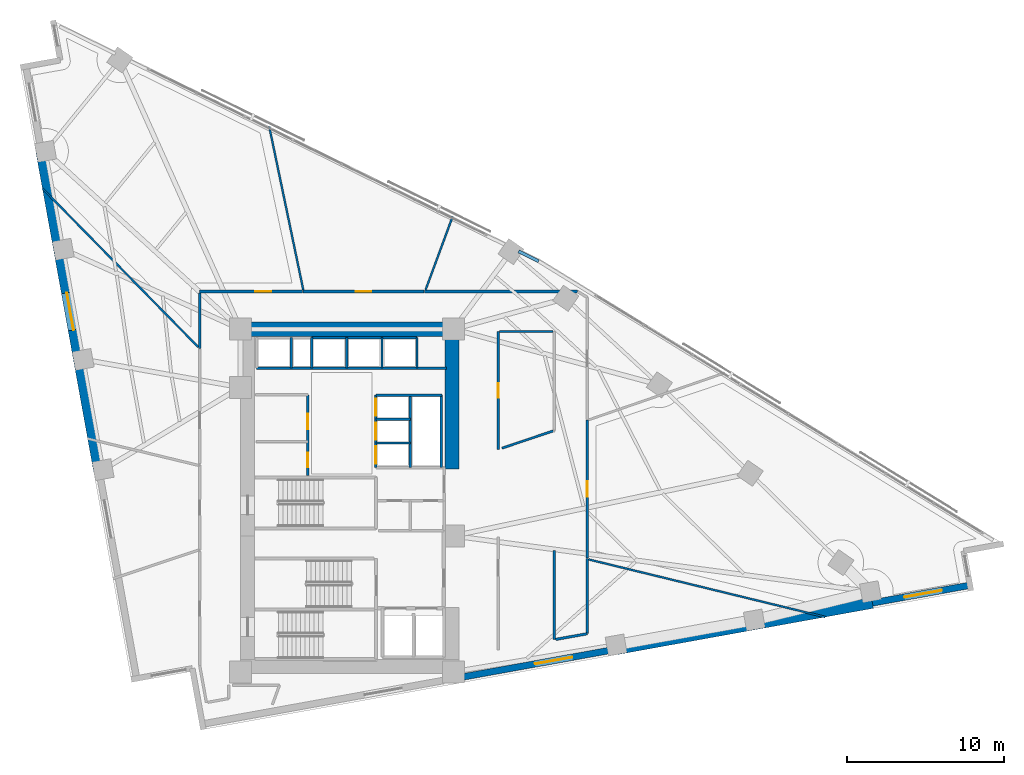
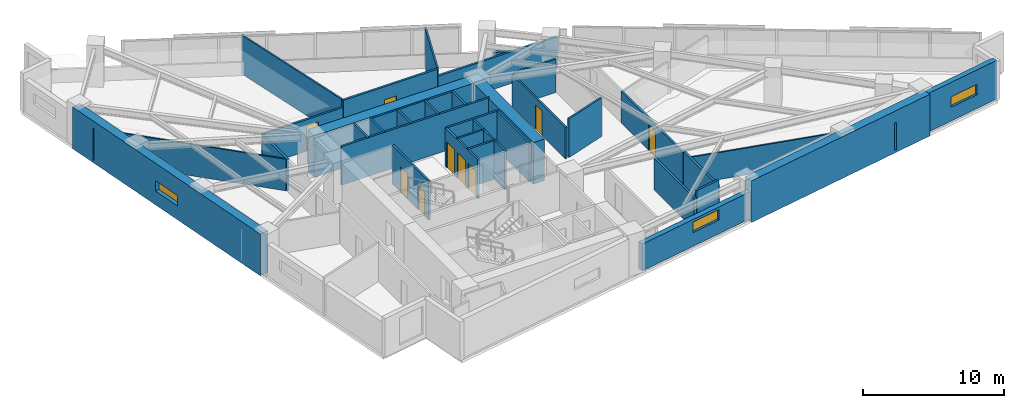
# One storey, part 14 of 18: 36 walls, 9 doors, 3 windows, 12 openings.
"""IFC4 building model written with IfcOpenShell, lengths in metres."""

import ifcopenshell
import ifcopenshell.guid

model = None  # the IFC model being written
_history = None  # IfcOwnerHistory: only IFC2X3 demands one
_inside = {}  # id of a spatial element -> (the spatial element, [elements in it])
_under = {}  # id of a project, library or spatial element -> (it, [spatial elements below it])
_declared = {}  # id of a project -> (the project, [libraries it declares])
_typed = {}  # id of a type object -> (the type object, [elements of that type])
_made_of = {}  # id of a material, layer set ... -> (it, [elements and type objects made of it])


def new_model(schema):
    """Start an empty IFC model of exactly this schema.

    Asked for "IFC4X3", IfcOpenShell would pick the latest addendum, in which some entities
    have other attributes; the version numbers below select the first issue.
    IFC2X3 requires an IfcOwnerHistory on every rooted entity: one is made here for all.
    """
    global model, _history
    if schema == "IFC4X3":
        model = ifcopenshell.file(schema_version=(4, 3, 0, 0))
    else:
        model = ifcopenshell.file(schema=schema)
    _inside.clear()
    _under.clear()
    _declared.clear()
    _typed.clear()
    _made_of.clear()
    _history = None
    if model.schema == "IFC2X3":
        org = make("IfcOrganization", Name="unknown")
        user = make(
            "IfcPersonAndOrganization",
            ThePerson=make("IfcPerson", FamilyName="unknown"),
            TheOrganization=org,
        )
        app = make(
            "IfcApplication",
            ApplicationDeveloper=org,
            Version="unknown",
            ApplicationFullName="unknown",
            ApplicationIdentifier="unknown",
        )
        _history = make(
            "IfcOwnerHistory",
            OwningUser=user,
            OwningApplication=app,
            ChangeAction="ADDED",
            CreationDate=0,
        )
    return model


def make(cls, **values):
    """One entity of the class cls with the attributes given. An attribute that is None is left unset."""
    return model.create_entity(
        cls, **{name: value for name, value in values.items() if value is not None}
    )


def rooted(cls, **values):
    """An entity with a GlobalId (a new one), such as an element, a storey or a relation."""
    return make(cls, GlobalId=ifcopenshell.guid.new(), OwnerHistory=_history, **values)


def si_unit(unit_type, name, prefix=None):
    """IfcSIUnit, for example si_unit("LENGTHUNIT", "METRE", prefix="MILLI")."""
    return make("IfcSIUnit", UnitType=unit_type, Prefix=prefix, Name=name)


def assignment(units):
    """IfcUnitAssignment: the units of a project."""
    return None if units is None else make("IfcUnitAssignment", Units=units)


def point(xyz):
    """IfcCartesianPoint."""
    return None if xyz is None else make("IfcCartesianPoint", Coordinates=xyz)


def direction(xyz):
    """IfcDirection."""
    return None if xyz is None else make("IfcDirection", DirectionRatios=xyz)


def frame(location, z_axis=None, x_axis=None):
    """IfcAxis2Placement3D, a coordinate frame: its origin and axes. An axis left out is left unset."""
    return make(
        "IfcAxis2Placement3D",
        Location=point(location),
        Axis=direction(z_axis),
        RefDirection=direction(x_axis),
    )


def frame_2d(location, x_axis=None):
    """IfcAxis2Placement2D, a coordinate frame in the plane: its origin and x axis."""
    return make(
        "IfcAxis2Placement2D", Location=point(location), RefDirection=direction(x_axis)
    )


def origin():
    """The frame at (0, 0, 0) with its axes left unset."""
    return frame((0.0, 0.0, 0.0))


def place(relative_to, where):
    """IfcLocalPlacement: puts the frame where relative to a parent placement (None: the world)."""
    return make(
        "IfcLocalPlacement", PlacementRelTo=relative_to, RelativePlacement=where
    )


def context(
    kind, dimensions, precision=None, world=None, true_north=None, identifier=None
):
    """IfcGeometricRepresentationContext, for example the 3D "Model" context."""
    return make(
        "IfcGeometricRepresentationContext",
        ContextIdentifier=identifier,
        ContextType=kind,
        CoordinateSpaceDimension=dimensions,
        Precision=precision,
        WorldCoordinateSystem=world,
        TrueNorth=true_north,
    )


def subcontext(parent, identifier, kind, view, scale=None):
    """IfcGeometricRepresentationSubContext, for example "Body" below "Model"."""
    return make(
        "IfcGeometricRepresentationSubContext",
        ContextIdentifier=identifier,
        ContextType=kind,
        ParentContext=parent,
        TargetScale=scale,
        TargetView=view,
    )


def project(units=None, contexts=None):
    """IfcProject with its units and contexts."""
    return rooted(
        "IfcProject",
        Name="project",
        RepresentationContexts=contexts,
        UnitsInContext=assignment(units),
    )


def spatial(cls, under=None, at=None, **own):
    """A site, building, storey or space (cls), placed at a placement, below another one or the project."""
    s = rooted(cls, ObjectPlacement=at, **own)
    if under is not None:
        _under.setdefault(under.id(), (under, []))[1].append(s)
    return s


def profile(cls, at=None, kind="AREA", **sizes):
    """A parametric profile (cls). Its sizes go by their IFC names, for example OverallWidth=200.0."""
    return make(cls, ProfileType=kind, Position=at, **sizes)


def rectangle(**sizes):
    """IfcRectangleProfileDef."""
    return profile("IfcRectangleProfileDef", **sizes)


def extrude(swept, where, along, depth):
    """IfcExtrudedAreaSolid: the profile swept, set in the frame where, extruded along a direction by depth."""
    return make(
        "IfcExtrudedAreaSolid",
        SweptArea=swept,
        Position=where,
        ExtrudedDirection=direction(along),
        Depth=depth,
    )


def shape(context_of_items, identifier, shape_type, items):
    """IfcShapeRepresentation: the items that make up one representation, for example the "Body"."""
    return make(
        "IfcShapeRepresentation",
        ContextOfItems=context_of_items,
        RepresentationIdentifier=identifier,
        RepresentationType=shape_type,
        Items=items,
    )


def material(Name=None, Category=None):
    """IfcMaterial."""
    return make("IfcMaterial", Name=Name, Category=Category)


def layer(
    of_material, thickness, ventilated=None, Name=None, Category=None, Priority=None
):
    """IfcMaterialLayer: one layer of a wall or slab, of a material (None: an air gap)."""
    return make(
        "IfcMaterialLayer",
        Material=of_material,
        LayerThickness=thickness,
        IsVentilated=ventilated,
        Name=Name,
        Category=Category,
        Priority=Priority,
    )


def layer_set(layers, Name=None):
    """IfcMaterialLayerSet."""
    return make("IfcMaterialLayerSet", MaterialLayers=layers, LayerSetName=Name)


def made_of(thing, what):
    """Note that an element or type object is made of a material, layer set ...; save() writes the relation."""
    if what is not None:
        _made_of.setdefault(what.id(), (what, []))[1].append(thing)
    return thing


def type_object(cls, material=None, **own):
    """A type object (cls), such as IfcWallType, which elements share."""
    return made_of(rooted(cls, **own), material)


def element(
    cls,
    number,
    at=None,
    inside=None,
    cuts=None,
    type_object=None,
    material=None,
    context=None,
    identifier="Body",
    shape_type=None,
    held_by="IfcProductDefinitionShape",
    body=None,
    shapes=None,
    **own,
):
    """One element of the class cls, such as IfcWall. Its Tag is "e" and its number.

    at: its placement. inside: the storey or other place that contains it. cuts: it is an
    opening in that element (IfcRelVoidsElement). A single representation is given by context,
    identifier, shape_type and body (its items); several are given by shapes. held_by: the class
    of the entity that holds the representations. save() writes the other relations.
    """
    e = rooted(cls, Tag="e%d" % number, ObjectPlacement=at, **own)
    if body is not None:
        shapes = [shape(context, identifier, shape_type, body)]
    if shapes is not None:
        e.Representation = make(held_by, Representations=shapes)
    if inside is not None:
        _inside.setdefault(inside.id(), (inside, []))[1].append(e)
    if cuts is not None:
        rooted(
            "IfcRelVoidsElement", RelatingBuildingElement=cuts, RelatedOpeningElement=e
        )
    if type_object is not None:
        _typed.setdefault(type_object.id(), (type_object, []))[1].append(e)
    return made_of(e, material)


def fill(opening, filler):
    """IfcRelFillsElement: the door or window that sits in an opening."""
    return rooted(
        "IfcRelFillsElement",
        RelatingOpeningElement=opening,
        RelatedBuildingElement=filler,
    )


def aggregate(whole, parts):
    """IfcRelAggregates: a whole, such as a stair, and the parts it consists of."""
    return rooted("IfcRelAggregates", RelatingObject=whole, RelatedObjects=parts)


def save(model, path):
    """Write the relations noted so far, then the file.

    IfcRelAggregates (storeys below a building ...), IfcRelContainedInSpatialStructure (elements
    in a storey), IfcRelDefinesByType, IfcRelAssociatesMaterial and IfcRelDeclares: one each for
    every whole, place, type object, material and project.
    """
    for whole, parts in _under.values():
        aggregate(whole, parts)
    for where, things in _inside.values():
        rooted(
            "IfcRelContainedInSpatialStructure",
            RelatedElements=things,
            RelatingStructure=where,
        )
    for kind, things in _typed.values():
        rooted("IfcRelDefinesByType", RelatedObjects=things, RelatingType=kind)
    for what, things in _made_of.values():
        rooted("IfcRelAssociatesMaterial", RelatedObjects=things, RelatingMaterial=what)
    for by, libraries in _declared.values():
        rooted("IfcRelDeclares", RelatingContext=by, RelatedDefinitions=libraries)
    model.write(path)


model = new_model("IFC4")

# Units and contexts
model_context = context("Model", 3, precision=1e-05, world=origin(), true_north=direction((0.0, 1.0)))
body_context = subcontext(model_context, "Body", "Model", "MODEL_VIEW")
ifc_project = project(units=[si_unit("LENGTHUNIT", "METRE"), si_unit("AREAUNIT", "SQUARE_METRE"), si_unit("VOLUMEUNIT", "CUBIC_METRE"), si_unit("PLANEANGLEUNIT", "RADIAN"), si_unit("MASSUNIT", "GRAM", prefix="KILO")], contexts=[model_context])

# Site, building, storey
site_placement = place(None, origin())
site = spatial("IfcSite", under=ifc_project, at=site_placement, CompositionType="ELEMENT")
building_placement = place(site_placement, origin())
building = spatial("IfcBuilding", under=site, at=building_placement, Name="Narakoshi Arena Tower", CompositionType="ELEMENT")
storey_placement = place(building_placement, frame((0.0, 0.0, 99.300048828125)))
storey = spatial("IfcBuildingStorey", under=building, at=storey_placement, Name="L26", CompositionType="ELEMENT", Elevation=99.300048828125)

# Walls
ifc_material_1 = material(Name="Concrete C60/75", Category="concrete")
ifc_layer_1 = layer(ifc_material_1, 0.89990234375)
ifc_layer_set_1 = layer_set([ifc_layer_1], Name="Concrete C60/75")
wall_type_1 = type_object("IfcWallType", Name="WL-CORE-900", PredefinedType="SHEAR", material=ifc_layer_set_1)
wall_1_placement = place(storey_placement, frame((72.0, 56.5, -0.260009765625), z_axis=(0.0, 0.0, 1.0), x_axis=(1.0, 0.0, 0.0)))
element("IfcWall", 1, at=wall_1_placement, inside=storey, type_object=wall_type_1, Name="L26 Main Core Shear Wall CW-MN-N", PredefinedType="SHEAR", context=body_context, shape_type="SweptSolid", body=[
    extrude(rectangle(XDim=13.89990234375, YDim=0.89990234375, at=frame_2d((6.949951171875, 0.0))), origin(), (0.0, 0.0, 1.0), 3.599853515625),
])
wall_2_placement = place(storey_placement, frame((85.449951171875, 47.60009765625, -0.260009765625), z_axis=(0.0, 0.0, 1.0), x_axis=(0.0, 1.0, 0.0)))
element("IfcWall", 2, at=wall_2_placement, inside=storey, type_object=wall_type_1, Name="L26 Main Core Shear Wall CW-MN-E", PredefinedType="SHEAR", context=body_context, shape_type="SweptSolid", body=[
    extrude(rectangle(XDim=8.449951171875, YDim=0.89990234375, at=frame_2d((4.22509765625, 0.0))), origin(), (0.0, 0.0, 1.0), 3.599853515625),
])
ifc_material_2 = material(Name="Gypsum plasterboard fire-rated partition")
ifc_layer_2 = layer(ifc_material_2, 0.1650390625)
ifc_layer_set_2 = layer_set([ifc_layer_2], Name="Gypsum plasterboard fire-rated partition")
wall_type_2 = type_object("IfcWallType", Name="WL-CORR-165", PredefinedType="PARTITIONING", material=ifc_layer_set_2)
wall_3_placement = place(storey_placement, frame((91.949951171875, 42.41845703125, 0.0), z_axis=(0.0, 0.0, 1.0), x_axis=(0.0, -1.0, 0.0)))
element("IfcWall", 3, at=wall_3_placement, inside=storey, type_object=wall_type_2, Name="L26 Corridor Partition 03-2", PredefinedType="PARTITIONING", context=body_context, shape_type="SweptSolid", body=[
    extrude(rectangle(XDim=5.67236328125, YDim=0.1650390625, at=frame_2d((2.836181640625, 0.0))), origin(), (0.0, 0.0, 1.0), 2.724853515625),
])
wall_4_placement = place(storey_placement, frame((94.050048828125, 37.125732421875, 0.0), z_axis=(0.0, 0.0, 1.0), x_axis=(0.0, 1.0, 0.0)))
element("IfcWall", 4, at=wall_4_placement, inside=storey, type_object=wall_type_2, Name="L26 Corridor Partition 03-3", PredefinedType="PARTITIONING", context=body_context, shape_type="SweptSolid", body=[
    extrude(rectangle(XDim=4.78662109375, YDim=0.1650390625, at=frame_2d((2.393310546875, 0.0))), origin(), (0.0, 0.0, 1.0), 2.875),
])
wall_5_placement = place(storey_placement, frame((92.04443359375, 36.76318359375, 0.0), z_axis=(0.0, 0.0, 1.0), x_axis=(0.984051476933, 0.177883924923, 0.0)))
element("IfcWall", 5, at=wall_5_placement, inside=storey, type_object=wall_type_2, Name="L26 Corridor Partition 03-4", PredefinedType="PARTITIONING", context=body_context, shape_type="SweptSolid", body=[
    extrude(rectangle(XDim=2.0380859375, YDim=0.1650390625, at=frame_2d((1.01904296875, 0.0))), origin(), (0.0, 0.0, 1.0), 3.33984375),
])

# Wall, opening, door
wall_6_placement = place(storey_placement, frame((94.050048828125, 41.93701171875, 0.0), z_axis=(0.0, 0.0, 1.0), x_axis=(0.0, 1.0, 0.0)))
wall_6 = element("IfcWall", 6, at=wall_6_placement, inside=storey, type_object=wall_type_2, Name="L26 Corridor Partition 04-1", PredefinedType="PARTITIONING", context=body_context, shape_type="SweptSolid", body=[
    extrude(rectangle(XDim=8.79736328125, YDim=0.1650390625, at=frame_2d((4.398681640625, 0.0))), origin(), (0.0, 0.0, 1.0), 2.724853515625),
])
opening_1_placement = place(wall_6_placement, frame((3.898681640625, 0.0, 0.0)))
opening_1 = element("IfcOpeningElement", 7, at=opening_1_placement, cuts=wall_6, Name="Opening D-06", PredefinedType="OPENING", context=body_context, shape_type="SweptSolid", body=[
    extrude(rectangle(XDim=1.0, YDim=2.199951171875, at=frame_2d((0.5, 1.10009765625))), frame((0.0, 0.092529296875, 0.0), z_axis=(0.0, -1.0, 0.0), x_axis=(1.0, 0.0, 0.0)), (0.0, 0.0, 1.0), 0.18505859375),
])
ifc_material_3 = material(Name="Stained oak solid-core timber", Category="wood")
door_type_1 = type_object("IfcDoorType", Name="DR-OFF-1000", OperationType="NOTDEFINED", PredefinedType="DOOR", material=ifc_material_3)
door_1_placement = place(opening_1_placement, frame((1.0, 0.0, 0.0), z_axis=(0.0, 0.0, 1.0), x_axis=(-1.0, 0.0, 0.0)))
door_1 = element("IfcDoor", 8, at=door_1_placement, inside=storey, type_object=door_type_1, Name="DR-L26-018", OperationType="SINGLE_SWING_LEFT", OverallHeight=2.199951171875, OverallWidth=1.0, PredefinedType="DOOR", context=body_context, shape_type="SweptSolid", body=[
    extrude(rectangle(XDim=1.0, YDim=2.199951171875, at=frame_2d((0.5, 1.10009765625))), frame((0.0, 0.02490234375, 0.0), z_axis=(0.0, -1.0, 0.0), x_axis=(1.0, 0.0, 0.0)), (0.0, 0.0, 1.0), 0.050048828125),
])
fill(opening_1, door_1)

# Wall
wall_7_placement = place(storey_placement, frame((93.44189453125, 58.89990234375, 0.0), z_axis=(0.0, 0.0, 1.0), x_axis=(-1.0, 0.0, 0.0)))
element("IfcWall", 9, at=wall_7_placement, inside=storey, type_object=wall_type_2, Name="L26 Corridor Partition 06-1", PredefinedType="PARTITIONING", context=body_context, shape_type="SweptSolid", body=[
    extrude(rectangle(XDim=9.748779296875, YDim=0.1650390625, at=frame_2d((4.87451171875, 0.0))), origin(), (0.0, 0.0, 1.0), 2.724853515625),
])

# Wall, opening, door
wall_8_placement = place(storey_placement, frame((83.66748046875, 58.89990234375, 0.0), z_axis=(0.0, 0.0, 1.0), x_axis=(-1.0, 0.0, 0.0)))
wall_8 = element("IfcWall", 10, at=wall_8_placement, inside=storey, type_object=wall_type_2, Name="L26 Corridor Partition 07-1", PredefinedType="PARTITIONING", context=body_context, shape_type="SweptSolid", body=[
    extrude(rectangle(XDim=7.6943359375, YDim=0.1650390625, at=frame_2d((3.84716796875, 0.0))), origin(), (0.0, 0.0, 1.0), 3.33984375),
])
opening_2_placement = place(wall_8_placement, frame((3.34716796875, 0.0, 0.0)))
opening_2 = element("IfcOpeningElement", 11, at=opening_2_placement, cuts=wall_8, Name="Opening D-06", PredefinedType="OPENING", context=body_context, shape_type="SweptSolid", body=[
    extrude(rectangle(XDim=1.0, YDim=2.199951171875, at=frame_2d((0.5, 1.10009765625))), frame((0.0, 0.092529296875, 0.0), z_axis=(0.0, -1.0, 0.0), x_axis=(1.0, 0.0, 0.0)), (0.0, 0.0, 1.0), 0.18505859375),
])
door_2_placement = place(opening_2_placement, frame((1.0, 0.0, 0.0), z_axis=(0.0, 0.0, 1.0), x_axis=(-1.0, 0.0, 0.0)))
door_2 = element("IfcDoor", 12, at=door_2_placement, inside=storey, type_object=door_type_1, Name="DR-L26-021", OperationType="SINGLE_SWING_RIGHT", OverallHeight=2.199951171875, OverallWidth=1.0, PredefinedType="DOOR", context=body_context, shape_type="SweptSolid", body=[
    extrude(rectangle(XDim=1.0, YDim=2.199951171875, at=frame_2d((0.5, 1.10009765625))), frame((0.0, 0.02490234375, 0.0), z_axis=(0.0, -1.0, 0.0), x_axis=(1.0, 0.0, 0.0)), (0.0, 0.0, 1.0), 0.050048828125),
])
fill(opening_2, door_2)

wall_9_placement = place(storey_placement, frame((75.948486328125, 58.89990234375, 0.0), z_axis=(0.0, 0.0, 1.0), x_axis=(-1.0, 0.0, 0.0)))
wall_9 = element("IfcWall", 13, at=wall_9_placement, inside=storey, type_object=wall_type_2, Name="L26 Corridor Partition 08-1", PredefinedType="PARTITIONING", context=body_context, shape_type="SweptSolid", body=[
    extrude(rectangle(XDim=6.548583984375, YDim=0.1650390625, at=frame_2d((3.2744140625, 0.0))), origin(), (0.0, 0.0, 1.0), 2.724853515625),
])
opening_3_placement = place(wall_9_placement, frame((2.001953125, 0.0, 0.0)))
opening_3 = element("IfcOpeningElement", 14, at=opening_3_placement, cuts=wall_9, Name="Opening D-06", PredefinedType="OPENING", context=body_context, shape_type="SweptSolid", body=[
    extrude(rectangle(XDim=1.0, YDim=2.199951171875, at=frame_2d((0.5, 1.10009765625))), frame((0.0, 0.092529296875, 0.0), z_axis=(0.0, -1.0, 0.0), x_axis=(1.0, 0.0, 0.0)), (0.0, 0.0, 1.0), 0.18505859375),
])
door_3_placement = place(opening_3_placement, frame((1.0, 0.0, 0.0), z_axis=(0.0, 0.0, 1.0), x_axis=(-1.0, 0.0, 0.0)))
door_3 = element("IfcDoor", 15, at=door_3_placement, inside=storey, type_object=door_type_1, Name="DR-L26-022", OperationType="SINGLE_SWING_LEFT", OverallHeight=2.199951171875, OverallWidth=1.0, PredefinedType="DOOR", context=body_context, shape_type="SweptSolid", body=[
    extrude(rectangle(XDim=1.0, YDim=2.199951171875, at=frame_2d((0.5, 1.10009765625))), frame((0.0, 0.02490234375, 0.0), z_axis=(0.0, -1.0, 0.0), x_axis=(1.0, 0.0, 0.0)), (0.0, 0.0, 1.0), 0.050048828125),
])
fill(opening_3, door_3)

# Walls
wall_10_placement = place(storey_placement, frame((69.39990234375, 58.805419921875, 0.0), z_axis=(0.0, 0.0, 1.0), x_axis=(0.0, -1.0, 0.0)))
element("IfcWall", 16, at=wall_10_placement, inside=storey, type_object=wall_type_2, Name="L26 Corridor Partition 08-2", PredefinedType="PARTITIONING", context=body_context, shape_type="SweptSolid", body=[
    extrude(rectangle(XDim=3.538818359375, YDim=0.1650390625, at=frame_2d((1.76953125, 0.0))), origin(), (0.0, 0.0, 1.0), 2.724853515625),
])
ifc_layer_3 = layer(ifc_material_1, 0.699951171875)
ifc_layer_set_3 = layer_set([ifc_layer_3], Name="Concrete C60/75")
wall_type_3 = type_object("IfcWallType", Name="WL-LEG-700", PredefinedType="SHEAR", material=ifc_layer_set_3)
wall_11_placement = place(storey_placement, frame((95.93798828125, 36.14599609375, -0.260009765625), z_axis=(0.0, 0.0, 1.0), x_axis=(0.984038488288, 0.177955762952, 0.0)))
element("IfcWall", 17, at=wall_11_placement, inside=storey, type_object=wall_type_3, Name="L26 Architectural Concrete Structural Wall LEGA-3", PredefinedType="SHEAR", context=body_context, shape_type="SweptSolid", body=[
    extrude(rectangle(XDim=16.524658203125, YDim=0.699951171875, at=frame_2d((8.26220703125, 0.0))), origin(), (0.0, 0.0, 1.0), 3.599853515625),
])

# Wall, opening, window
wall_12_placement = place(storey_placement, frame((59.327880859375, 67.767822265625, -0.260009765625), z_axis=(0.0, 0.0, 1.0), x_axis=(0.177933213615, -0.984042565895, 0.0)))
wall_12 = element("IfcWall", 18, at=wall_12_placement, inside=storey, type_object=wall_type_3, Name="L26 Architectural Concrete Structural Wall LEGB-2", PredefinedType="SHEAR", context=body_context, shape_type="SweptSolid", body=[
    extrude(rectangle(XDim=20.57861328125, YDim=0.699951171875, at=frame_2d((10.289306640625, 0.0))), origin(), (0.0, 0.0, 1.0), 3.599853515625),
])
opening_4_placement = place(wall_12_placement, frame((9.10009765625, 0.0, 1.199951171875)))
opening_4 = element("IfcOpeningElement", 19, at=opening_4_placement, cuts=wall_12, Name="Opening WN-01", PredefinedType="OPENING", context=body_context, shape_type="SweptSolid", body=[
    extrude(rectangle(XDim=2.39990234375, YDim=0.89990234375, at=frame_2d((1.199951171875, 0.449951171875))), frame((0.0, 0.35986328125, 0.0), z_axis=(0.0, -1.0, 0.0), x_axis=(1.0, 0.0, 0.0)), (0.0, 0.0, 1.0), 0.719970703125),
])
ifc_material_4 = material(Name="Bronze-tinted low-E laminated glass", Category="glass")
window_type = type_object("IfcWindowType", Name="WIN-SLT-24x09", PartitioningType="SINGLE_PANEL", PredefinedType="WINDOW", material=ifc_material_4)
window_1_placement = place(opening_4_placement, origin())
window_1 = element("IfcWindow", 20, at=window_1_placement, inside=storey, type_object=window_type, Name="L26 LEGB2 Horizontal Slot Window 1", OverallHeight=0.89990234375, OverallWidth=2.39990234375, PartitioningType="SINGLE_PANEL", PredefinedType="WINDOW", context=body_context, shape_type="SweptSolid", body=[
    extrude(rectangle(XDim=2.39990234375, YDim=0.89990234375, at=frame_2d((1.199951171875, 0.449951171875))), frame((0.0, 0.030029296875, 0.0), z_axis=(0.0, -1.0, 0.0), x_axis=(1.0, 0.0, 0.0)), (0.0, 0.0, 1.0), 0.06005859375),
])
fill(opening_4, window_1)

# Walls
ifc_material_5 = material(Name="Precast concrete C45/55", Category="concrete")
ifc_layer_4 = layer(ifc_material_5, 0.25)
ifc_layer_set_4 = layer_set([ifc_layer_4], Name="Precast concrete C45/55")
wall_type_4 = type_object("IfcWallType", Name="WL-PARA-250", PredefinedType="PARAPET", material=ifc_layer_set_4)
wall_13_placement = place(storey_placement, frame((90.96435546875, 60.821533203125, 0.0), z_axis=(0.0, 0.0, 1.0), x_axis=(-0.898000468284, 0.439994498787, 0.0)))
element("IfcWall", 21, at=wall_13_placement, inside=storey, type_object=wall_type_4, Name="L26 Hypotenuse Sill Upstand Parapet 2-01", PredefinedType="PARAPET", context=body_context, shape_type="SweptSolid", body=[
    extrude(rectangle(XDim=1.42333984375, YDim=0.199951171875, at=frame_2d((0.711669921875, 0.0))), origin(), (0.0, 0.0, 1.0), 1.14990234375),
])
ifc_layer_5 = layer(ifc_material_2, 0.125)
ifc_layer_set_5 = layer_set([ifc_layer_5], Name="Gypsum plasterboard fire-rated partition")
wall_type_5 = type_object("IfcWallType", Name="WL-PART-125", PredefinedType="PARTITIONING", material=ifc_layer_set_5)
wall_14_placement = place(storey_placement, frame((94.14453125, 41.852294921875, 0.0), z_axis=(0.0, 0.0, 1.0), x_axis=(0.971605150491, -0.236608181471, 0.0)))
element("IfcWall", 22, at=wall_14_placement, inside=storey, type_object=wall_type_5, Name="L26 Inter-Room Partition 03-04", PredefinedType="PARTITIONING", context=body_context, shape_type="SweptSolid", body=[
    extrude(rectangle(XDim=15.48876953125, YDim=0.125, at=frame_2d((7.744384765625, 0.0))), origin(), (0.0, 0.0, 1.0), 2.324951171875),
])
wall_15_placement = place(storey_placement, frame((83.766357421875, 58.994384765625, 0.0), z_axis=(0.0, 0.0, 1.0), x_axis=(0.345974939757, 0.938243753542, 0.0)))
element("IfcWall", 23, at=wall_15_placement, inside=storey, type_object=wall_type_5, Name="L26 Inter-Room Partition 06-07", PredefinedType="PARTITIONING", context=body_context, shape_type="SweptSolid", body=[
    extrude(rectangle(XDim=4.993896484375, YDim=0.125, at=frame_2d((2.4970703125, 0.0))), origin(), (0.0, 0.0, 1.0), 3.33984375),
])
wall_16_placement = place(storey_placement, frame((75.989013671875, 58.994384765625, 0.0), z_axis=(0.0, 0.0, 1.0), x_axis=(-0.204152353371, 0.978939128145, 0.0)))
element("IfcWall", 24, at=wall_16_placement, inside=storey, type_object=wall_type_5, Name="L26 Inter-Room Partition 07-08", PredefinedType="PARTITIONING", context=body_context, shape_type="SweptSolid", body=[
    extrude(rectangle(XDim=10.630126953125, YDim=0.125, at=frame_2d((5.31494140625, 0.0))), origin(), (0.0, 0.0, 1.0), 3.33984375),
])
wall_17_placement = place(storey_placement, frame((69.305419921875, 55.36279296875, 0.0), z_axis=(0.0, 0.0, 1.0), x_axis=(-0.700626009677, 0.71352869218, 0.0)))
element("IfcWall", 25, at=wall_17_placement, inside=storey, type_object=wall_type_5, Name="L26 Inter-Room Partition 08-09", PredefinedType="PARTITIONING", context=body_context, shape_type="SweptSolid", body=[
    extrude(rectangle(XDim=14.1533203125, YDim=0.125, at=frame_2d((7.07666015625, 0.0))), origin(), (0.0, 0.0, 1.0), 2.724853515625),
])

# Wall, opening, window
ifc_layer_6 = layer(ifc_material_5, 0.419921875)
ifc_layer_set_6 = layer_set([ifc_layer_6], Name="Precast concrete C45/55")
wall_type_6 = type_object("IfcWallType", Name="WL-POD-420", PredefinedType="SOLIDWALL", material=ifc_layer_set_6)
wall_18_placement = place(storey_placement, frame((86.10009765625, 34.3671875, 0.0), z_axis=(0.0, 0.0, 1.0), x_axis=(0.9840437071, 0.177926902172, 0.0)))
wall_18 = element("IfcWall", 26, at=wall_18_placement, inside=storey, type_object=wall_type_6, Name="L26 Architectural Concrete Facade Wall LEGA-2", PredefinedType="SOLIDWALL", context=body_context, shape_type="SweptSolid", body=[
    extrude(rectangle(XDim=9.997314453125, YDim=0.419921875, at=frame_2d((4.99853515625, 0.0))), origin(), (0.0, 0.0, 1.0), 2.324951171875),
])
opening_5_placement = place(wall_18_placement, frame((4.702392578125, 0.0, 1.199951171875)))
opening_5 = element("IfcOpeningElement", 27, at=opening_5_placement, cuts=wall_18, Name="Opening WN-01", PredefinedType="OPENING", context=body_context, shape_type="SweptSolid", body=[
    extrude(rectangle(XDim=2.39990234375, YDim=0.89990234375, at=frame_2d((1.199951171875, 0.449951171875))), frame((0.0, 0.219970703125, 0.0), z_axis=(0.0, -1.0, 0.0), x_axis=(1.0, 0.0, 0.0)), (0.0, 0.0, 1.0), 0.43994140625),
])
window_2_placement = place(opening_5_placement, origin())
window_2 = element("IfcWindow", 28, at=window_2_placement, inside=storey, type_object=window_type, Name="L26 LEGA2 Horizontal Slot Window 1", OverallHeight=0.89990234375, OverallWidth=2.39990234375, PartitioningType="SINGLE_PANEL", PredefinedType="WINDOW", context=body_context, shape_type="SweptSolid", body=[
    extrude(rectangle(XDim=2.39990234375, YDim=0.89990234375, at=frame_2d((1.199951171875, 0.449951171875))), frame((0.0, 0.030029296875, 0.0), z_axis=(0.0, -1.0, 0.0), x_axis=(1.0, 0.0, 0.0)), (0.0, 0.0, 1.0), 0.06005859375),
])
fill(opening_5, window_2)

wall_19_placement = place(storey_placement, frame((112.198974609375, 39.086669921875, 0.0), z_axis=(0.0, 0.0, 1.0), x_axis=(0.984042888215, 0.177931431042, 0.0)))
wall_19 = element("IfcWall", 29, at=wall_19_placement, inside=storey, type_object=wall_type_6, Name="L26 Architectural Concrete Facade Wall LEGA-4", PredefinedType="SOLIDWALL", context=body_context, shape_type="SweptSolid", body=[
    extrude(rectangle(XDim=6.30615234375, YDim=0.419921875, at=frame_2d((3.153076171875, 0.0))), origin(), (0.0, 0.0, 1.0), 3.33984375),
])
opening_6_placement = place(wall_19_placement, frame((2.0751953125, 0.0, 1.199951171875)))
opening_6 = element("IfcOpeningElement", 30, at=opening_6_placement, cuts=wall_19, Name="Opening WN-01", PredefinedType="OPENING", context=body_context, shape_type="SweptSolid", body=[
    extrude(rectangle(XDim=2.39990234375, YDim=0.89990234375, at=frame_2d((1.199951171875, 0.449951171875))), frame((0.0, 0.219970703125, 0.0), z_axis=(0.0, -1.0, 0.0), x_axis=(1.0, 0.0, 0.0)), (0.0, 0.0, 1.0), 0.43994140625),
])
window_3_placement = place(opening_6_placement, origin())
window_3 = element("IfcWindow", 31, at=window_3_placement, inside=storey, type_object=window_type, Name="L26 LEGA4 Horizontal Slot Window 1", OverallHeight=0.89990234375, OverallWidth=2.39990234375, PartitioningType="SINGLE_PANEL", PredefinedType="WINDOW", context=body_context, shape_type="SweptSolid", body=[
    extrude(rectangle(XDim=2.39990234375, YDim=0.89990234375, at=frame_2d((1.199951171875, 0.449951171875))), frame((0.0, 0.030029296875, 0.0), z_axis=(0.0, -1.0, 0.0), x_axis=(1.0, 0.0, 0.0)), (0.0, 0.0, 1.0), 0.06005859375),
])
fill(opening_6, window_3)

# Walls
ifc_material_6 = material(Name="Concrete C40/50", Category="concrete")
ifc_layer_7 = layer(ifc_material_6, 0.280029296875)
ifc_layer_set_7 = layer_set([ifc_layer_7], Name="Concrete C40/50")
wall_type_7 = type_object("IfcWallType", Name="WL-RISER-280", PredefinedType="PLUMBINGWALL", material=ifc_layer_set_7)
for number, where, z_axis, x_axis, name in (
    (32, (80.60009765625, 49.260009765625, 0.0), (0.0, 0.0, 1.0), (1.0, 0.0, 0.0), "L26 Core Wall MR-D1"),
    (33, (80.60009765625, 50.780029296875, 0.0), (0.0, 0.0, 1.0), (1.0, 0.0, 0.0), "L26 Core Wall MR-D2"),
):
    element("IfcWall", number, at=place(storey_placement, frame(where, z_axis=z_axis, x_axis=x_axis)), inside=storey, type_object=wall_type_7, Name=name, PredefinedType="PLUMBINGWALL", context=body_context, shape_type="SweptSolid", body=[
        extrude(rectangle(XDim=2.199951171875, YDim=0.14990234375, at=frame_2d((1.10009765625, 0.0))), origin(), (0.0, 0.0, 1.0), 3.33984375),
    ])
wall_20_placement = place(storey_placement, frame((82.800048828125, 47.699951171875, 0.0), z_axis=(0.0, 0.0, 1.0), x_axis=(0.0, 1.0, 0.0)))
element("IfcWall", 34, at=wall_20_placement, inside=storey, type_object=wall_type_7, Name="L26 Core Wall MR-E", PredefinedType="PLUMBINGWALL", context=body_context, shape_type="SweptSolid", body=[
    extrude(rectangle(XDim=4.60009765625, YDim=0.14990234375, at=frame_2d((2.300048828125, 0.0))), origin(), (0.0, 0.0, 1.0), 3.33984375),
])
wall_21_placement = place(storey_placement, frame((75.219970703125, 54.02001953125, 0.0), z_axis=(0.0, 0.0, 1.0), x_axis=(0.0, 1.0, 0.0)))
element("IfcWall", 35, at=wall_21_placement, inside=storey, type_object=wall_type_7, Name="L26 Core Wall OBS-M", PredefinedType="PLUMBINGWALL", context=body_context, shape_type="SweptSolid", body=[
    extrude(rectangle(XDim=1.93994140625, YDim=0.14990234375, at=frame_2d((0.969970703125, 0.0))), origin(), (0.0, 0.0, 1.0), 3.33984375),
])
for number, where, z_axis, x_axis, name in (
    (36, (78.75, 54.02001953125, 0.0), (0.0, 0.0, 1.0), (0.0, 1.0, 0.0), "L26 Core Wall HR-D1"),
    (37, (81.0, 54.02001953125, 0.0), (0.0, 0.0, 1.0), (0.0, 1.0, 0.0), "L26 Core Wall HR-D2"),
):
    element("IfcWall", number, at=place(storey_placement, frame(where, z_axis=z_axis, x_axis=x_axis)), inside=storey, type_object=wall_type_7, Name=name, PredefinedType="PLUMBINGWALL", context=body_context, shape_type="SweptSolid", body=[
        extrude(rectangle(XDim=1.9599609375, YDim=0.14990234375, at=frame_2d((0.97998046875, 0.0))), origin(), (0.0, 0.0, 1.0), 3.33984375),
    ])

# Wall, openings, doors
ifc_material_7 = material(Name="Concrete C50/60", Category="concrete")
ifc_layer_8 = layer(ifc_material_7, 0.35009765625)
ifc_layer_set_8 = layer_set([ifc_layer_8], Name="Concrete C50/60")
wall_type_8 = type_object("IfcWallType", Name="WL-SHAFT-350", PredefinedType="SOLIDWALL", material=ifc_layer_set_8)
wall_22_placement = place(storey_placement, frame((76.280029296875, 47.179931640625, 0.0), z_axis=(0.0, 0.0, 1.0), x_axis=(0.0, 1.0, 0.0)))
wall_22 = element("IfcWall", 38, at=wall_22_placement, inside=storey, type_object=wall_type_8, Name="L26 Core Wall LR-E", PredefinedType="SOLIDWALL", context=body_context, shape_type="SweptSolid", body=[
    extrude(rectangle(XDim=5.14013671875, YDim=0.159912109375, at=frame_2d((2.570068359375, 0.0))), origin(), (0.0, 0.0, 1.0), 3.33984375),
])
opening_7_placement = place(wall_22_placement, frame((0.550048828125, 0.0, 0.0)))
opening_7 = element("IfcOpeningElement", 39, at=opening_7_placement, cuts=wall_22, Name="Opening D-08", PredefinedType="OPENING", context=body_context, shape_type="SweptSolid", body=[
    extrude(rectangle(XDim=0.89990234375, YDim=2.10009765625, at=frame_2d((0.449951171875, 1.050048828125))), frame((0.0, 0.08984375, 0.0), z_axis=(0.0, -1.0, 0.0), x_axis=(1.0, 0.0, 0.0)), (0.0, 0.0, 1.0), 0.179931640625),
])
opening_8_placement = place(wall_22_placement, frame((2.949951171875, 0.0, 0.0)))
opening_8 = element("IfcOpeningElement", 40, at=opening_8_placement, cuts=wall_22, Name="Opening D-06", PredefinedType="OPENING", context=body_context, shape_type="SweptSolid", body=[
    extrude(rectangle(XDim=1.0, YDim=2.199951171875, at=frame_2d((0.5, 1.10009765625))), frame((0.0, 0.08984375, 0.0), z_axis=(0.0, -1.0, 0.0), x_axis=(1.0, 0.0, 0.0)), (0.0, 0.0, 1.0), 0.179931640625),
])
door_4_placement = place(opening_8_placement, frame((1.0, 0.0, 0.0), z_axis=(0.0, 0.0, 1.0), x_axis=(-1.0, 0.0, 0.0)))
door_4 = element("IfcDoor", 41, at=door_4_placement, inside=storey, type_object=door_type_1, Name="DR-L26-011", OperationType="SINGLE_SWING_LEFT", OverallHeight=2.199951171875, OverallWidth=1.0, PredefinedType="DOOR", context=body_context, shape_type="SweptSolid", body=[
    extrude(rectangle(XDim=1.0, YDim=2.199951171875, at=frame_2d((0.5, 1.10009765625))), frame((0.0, 0.02490234375, 0.0), z_axis=(0.0, -1.0, 0.0), x_axis=(1.0, 0.0, 0.0)), (0.0, 0.0, 1.0), 0.050048828125),
])
fill(opening_8, door_4)
ifc_material_8 = material(Name="Moisture-resistant laminate timber", Category="wood")
door_type_2 = type_object("IfcDoorType", Name="DR-WC-900", OperationType="NOTDEFINED", PredefinedType="DOOR", material=ifc_material_8)
door_5_placement = place(opening_7_placement, frame((0.89990234375, 0.0, 0.0), z_axis=(0.0, 0.0, 1.0), x_axis=(-1.0, 0.0, 0.0)))
door_5 = element("IfcDoor", 42, at=door_5_placement, inside=storey, type_object=door_type_2, Name="DR-L26-010", OperationType="SINGLE_SWING_RIGHT", OverallHeight=2.10009765625, OverallWidth=0.89990234375, PredefinedType="DOOR", context=body_context, shape_type="SweptSolid", body=[
    extrude(rectangle(XDim=0.89990234375, YDim=2.10009765625, at=frame_2d((0.449951171875, 1.050048828125))), frame((0.0, 0.02490234375, 0.0), z_axis=(0.0, -1.0, 0.0), x_axis=(1.0, 0.0, 0.0)), (0.0, 0.0, 1.0), 0.050048828125),
])
fill(opening_7, door_5)

wall_23_placement = place(storey_placement, frame((80.60009765625, 47.699951171875, 0.0), z_axis=(0.0, 0.0, 1.0), x_axis=(0.0, 1.0, 0.0)))
wall_23 = element("IfcWall", 43, at=wall_23_placement, inside=storey, type_object=wall_type_8, Name="L26 Core Wall MR-W", PredefinedType="SOLIDWALL", context=body_context, shape_type="SweptSolid", body=[
    extrude(rectangle(XDim=4.60009765625, YDim=0.159912109375, at=frame_2d((2.300048828125, 0.0))), origin(), (0.0, 0.0, 1.0), 3.33984375),
])
opening_9_placement = place(wall_23_placement, frame((0.239990234375, 0.0, 0.0)))
opening_9 = element("IfcOpeningElement", 44, at=opening_9_placement, cuts=wall_23, Name="Opening LD-01", PredefinedType="OPENING", context=body_context, shape_type="SweptSolid", body=[
    extrude(rectangle(XDim=1.10009765625, YDim=2.25, at=frame_2d((0.550048828125, 1.125))), frame((0.0, 0.08984375, 0.0), z_axis=(0.0, -1.0, 0.0), x_axis=(1.0, 0.0, 0.0)), (0.0, 0.0, 1.0), 0.179931640625),
])
opening_10_placement = place(wall_23_placement, frame((1.760009765625, 0.0, 0.0)))
opening_10 = element("IfcOpeningElement", 45, at=opening_10_placement, cuts=wall_23, Name="Opening LD-01", PredefinedType="OPENING", context=body_context, shape_type="SweptSolid", body=[
    extrude(rectangle(XDim=1.10009765625, YDim=2.25, at=frame_2d((0.550048828125, 1.125))), frame((0.0, 0.08984375, 0.0), z_axis=(0.0, -1.0, 0.0), x_axis=(1.0, 0.0, 0.0)), (0.0, 0.0, 1.0), 0.179931640625),
])
opening_11_placement = place(wall_23_placement, frame((3.280029296875, 0.0, 0.0)))
opening_11 = element("IfcOpeningElement", 46, at=opening_11_placement, cuts=wall_23, Name="Opening LD-01", PredefinedType="OPENING", context=body_context, shape_type="SweptSolid", body=[
    extrude(rectangle(XDim=1.10009765625, YDim=2.25, at=frame_2d((0.550048828125, 1.125))), frame((0.0, 0.08984375, 0.0), z_axis=(0.0, -1.0, 0.0), x_axis=(1.0, 0.0, 0.0)), (0.0, 0.0, 1.0), 0.179931640625),
])
ifc_material_9 = material(Name="Brushed bronze stainless steel", Category="steel")
door_type_3 = type_object("IfcDoorType", Name="DR-LFT-1100", OperationType="DOUBLE_DOOR_SLIDING", PredefinedType="DOOR", material=ifc_material_9)
door_6_placement = place(opening_9_placement, frame((1.10009765625, 0.0, 0.0), z_axis=(0.0, 0.0, 1.0), x_axis=(-1.0, 0.0, 0.0)))
door_6 = element("IfcDoor", 47, at=door_6_placement, inside=storey, type_object=door_type_3, Name="DR-L26-012", OperationType="DOUBLE_DOOR_SLIDING", OverallHeight=2.25, OverallWidth=1.10009765625, PredefinedType="DOOR", context=body_context, shape_type="SweptSolid", body=[
    extrude(rectangle(XDim=1.10009765625, YDim=2.25, at=frame_2d((0.550048828125, 1.125))), frame((0.0, 0.02490234375, 0.0), z_axis=(0.0, -1.0, 0.0), x_axis=(1.0, 0.0, 0.0)), (0.0, 0.0, 1.0), 0.050048828125),
])
fill(opening_9, door_6)
door_7_placement = place(opening_10_placement, frame((1.10009765625, 0.0, 0.0), z_axis=(0.0, 0.0, 1.0), x_axis=(-1.0, 0.0, 0.0)))
door_7 = element("IfcDoor", 48, at=door_7_placement, inside=storey, type_object=door_type_3, Name="DR-L26-013", OperationType="DOUBLE_DOOR_SLIDING", OverallHeight=2.25, OverallWidth=1.10009765625, PredefinedType="DOOR", context=body_context, shape_type="SweptSolid", body=[
    extrude(rectangle(XDim=1.10009765625, YDim=2.25, at=frame_2d((0.550048828125, 1.125))), frame((0.0, 0.02490234375, 0.0), z_axis=(0.0, -1.0, 0.0), x_axis=(1.0, 0.0, 0.0)), (0.0, 0.0, 1.0), 0.050048828125),
])
fill(opening_10, door_7)
door_8_placement = place(opening_11_placement, frame((1.10009765625, 0.0, 0.0), z_axis=(0.0, 0.0, 1.0), x_axis=(-1.0, 0.0, 0.0)))
door_8 = element("IfcDoor", 49, at=door_8_placement, inside=storey, type_object=door_type_3, Name="DR-L26-014", OperationType="DOUBLE_DOOR_SLIDING", OverallHeight=2.25, OverallWidth=1.10009765625, PredefinedType="DOOR", context=body_context, shape_type="SweptSolid", body=[
    extrude(rectangle(XDim=1.10009765625, YDim=2.25, at=frame_2d((0.550048828125, 1.125))), frame((0.0, 0.02490234375, 0.0), z_axis=(0.0, -1.0, 0.0), x_axis=(1.0, 0.0, 0.0)), (0.0, 0.0, 1.0), 0.050048828125),
])
fill(opening_11, door_8)

# Walls
wall_24_placement = place(storey_placement, frame((80.60009765625, 52.300048828125, 0.0), z_axis=(0.0, 0.0, 1.0), x_axis=(1.0, 0.0, 0.0)))
element("IfcWall", 50, at=wall_24_placement, inside=storey, type_object=wall_type_8, Name="L26 Core Wall MR-N", PredefinedType="SOLIDWALL", context=body_context, shape_type="SweptSolid", body=[
    extrude(rectangle(XDim=4.219970703125, YDim=0.159912109375, at=frame_2d((2.10986328125, 0.0))), origin(), (0.0, 0.0, 1.0), 3.33984375),
])
wall_25_placement = place(storey_placement, frame((84.780029296875, 47.699951171875, 0.0), z_axis=(0.0, 0.0, 1.0), x_axis=(0.0, 1.0, 0.0)))
element("IfcWall", 51, at=wall_25_placement, inside=storey, type_object=wall_type_8, Name="L26 Core Wall MR-E2", PredefinedType="SOLIDWALL", context=body_context, shape_type="SweptSolid", body=[
    extrude(rectangle(XDim=4.60009765625, YDim=0.159912109375, at=frame_2d((2.300048828125, 0.0))), origin(), (0.0, 0.0, 1.0), 3.33984375),
])
wall_26_placement = place(storey_placement, frame((73.02001953125, 54.02001953125, 0.0), z_axis=(0.0, 0.0, 1.0), x_axis=(1.0, 0.0, 0.0)))
element("IfcWall", 52, at=wall_26_placement, inside=storey, type_object=wall_type_8, Name="L26 Core Wall NSHF-S", PredefinedType="SOLIDWALL", context=body_context, shape_type="SweptSolid", body=[
    extrude(rectangle(XDim=12.080078125, YDim=0.159912109375, at=frame_2d((6.0400390625, 0.0))), origin(), (0.0, 0.0, 1.0), 3.33984375),
])
wall_27_placement = place(storey_placement, frame((76.52001953125, 54.02001953125, 0.0), z_axis=(0.0, 0.0, 1.0), x_axis=(0.0, 1.0, 0.0)))
element("IfcWall", 53, at=wall_27_placement, inside=storey, type_object=wall_type_8, Name="L26 Core Wall OBS-E", PredefinedType="SOLIDWALL", context=body_context, shape_type="SweptSolid", body=[
    extrude(rectangle(XDim=1.93994140625, YDim=0.14990234375, at=frame_2d((0.969970703125, 0.0))), origin(), (0.0, 0.0, 1.0), 3.33984375),
])
wall_28_placement = place(storey_placement, frame((83.219970703125, 54.02001953125, 0.0), z_axis=(0.0, 0.0, 1.0), x_axis=(0.0, 1.0, 0.0)))
element("IfcWall", 54, at=wall_28_placement, inside=storey, type_object=wall_type_8, Name="L26 Core Wall HR-E", PredefinedType="SOLIDWALL", context=body_context, shape_type="SweptSolid", body=[
    extrude(rectangle(XDim=1.9599609375, YDim=0.14990234375, at=frame_2d((0.97998046875, 0.0))), origin(), (0.0, 0.0, 1.0), 3.33984375),
])
wall_29_placement = place(storey_placement, frame((76.52001953125, 55.9599609375, 0.0), z_axis=(0.0, 0.0, 1.0), x_axis=(1.0, 0.0, 0.0)))
element("IfcWall", 55, at=wall_29_placement, inside=storey, type_object=wall_type_8, Name="L26 Core Wall HR-N", PredefinedType="SOLIDWALL", context=body_context, shape_type="SweptSolid", body=[
    extrude(rectangle(XDim=6.699951171875, YDim=0.14990234375, at=frame_2d((3.35009765625, 0.0))), origin(), (0.0, 0.0, 1.0), 3.33984375),
])

# Wall, opening, door
ifc_material_10 = material(Name="Moisture-resistant cement-board partition")
ifc_layer_9 = layer(ifc_material_10, 0.14501953125)
ifc_layer_set_9 = layer_set([ifc_layer_9], Name="Moisture-resistant cement-board partition")
wall_type_9 = type_object("IfcWallType", Name="WL-WET-145", PredefinedType="PARTITIONING", material=ifc_layer_set_9)
wall_30_placement = place(storey_placement, frame((88.39990234375, 48.852783203125, 0.0), z_axis=(0.0, 0.0, 1.0), x_axis=(0.0, 1.0, 0.0)))
wall_30 = element("IfcWall", 56, at=wall_30_placement, inside=storey, type_object=wall_type_9, Name="L26 Corridor Partition 05-1", PredefinedType="PARTITIONING", context=body_context, shape_type="SweptSolid", body=[
    extrude(rectangle(XDim=7.497314453125, YDim=0.14501953125, at=frame_2d((3.74853515625, 0.0))), origin(), (0.0, 0.0, 1.0), 2.724853515625),
])
opening_12_placement = place(wall_30_placement, frame((3.273681640625, 0.0, 0.0)))
opening_12 = element("IfcOpeningElement", 57, at=opening_12_placement, cuts=wall_30, Name="Opening D-07", PredefinedType="OPENING", context=body_context, shape_type="SweptSolid", body=[
    extrude(rectangle(XDim=0.949951171875, YDim=2.14990234375, at=frame_2d((0.47509765625, 1.074951171875))), frame((0.0, 0.08251953125, 0.0), z_axis=(0.0, -1.0, 0.0), x_axis=(1.0, 0.0, 0.0)), (0.0, 0.0, 1.0), 0.1650390625),
])
door_type_4 = type_object("IfcDoorType", Name="DR-ACC-950", OperationType="NOTDEFINED", PredefinedType="DOOR", material=ifc_material_3)
door_9_placement = place(opening_12_placement, frame((0.949951171875, 0.0, 0.0), z_axis=(0.0, 0.0, 1.0), x_axis=(-1.0, 0.0, 0.0)))
door_9 = element("IfcDoor", 58, at=door_9_placement, inside=storey, type_object=door_type_4, Name="DR-L26-019", OperationType="SINGLE_SWING_LEFT", OverallHeight=2.14990234375, OverallWidth=0.949951171875, PredefinedType="DOOR", context=body_context, shape_type="SweptSolid", body=[
    extrude(rectangle(XDim=0.949951171875, YDim=2.14990234375, at=frame_2d((0.47509765625, 1.074951171875))), frame((0.0, 0.02490234375, 0.0), z_axis=(0.0, -1.0, 0.0), x_axis=(1.0, 0.0, 0.0)), (0.0, 0.0, 1.0), 0.050048828125),
])
fill(opening_12, door_9)

# Walls
wall_31_placement = place(storey_placement, frame((88.484619140625, 56.35009765625, 0.0), z_axis=(0.0, 0.0, 1.0), x_axis=(1.0, 0.0, 0.0)))
element("IfcWall", 59, at=wall_31_placement, inside=storey, type_object=wall_type_9, Name="L26 Corridor Partition 05-3", PredefinedType="PARTITIONING", context=body_context, shape_type="SweptSolid", body=[
    extrude(rectangle(XDim=3.380859375, YDim=0.14501953125, at=frame_2d((1.6904296875, 0.0))), origin(), (0.0, 0.0, 1.0), 2.875),
])
wall_32_placement = place(storey_placement, frame((91.889892578125, 50.03076171875, 0.0), z_axis=(0.0, 0.0, 1.0), x_axis=(-0.947469146396, -0.319847176988, 0.0)))
element("IfcWall", 60, at=wall_32_placement, inside=storey, type_object=wall_type_9, Name="L26 Room Enclosure Partition 05-1", PredefinedType="PARTITIONING", context=body_context, shape_type="SweptSolid", body=[
    extrude(rectangle(XDim=3.43798828125, YDim=0.14501953125, at=frame_2d((1.718994140625, 0.0))), origin(), (0.0, 0.0, 1.0), 3.33984375),
])

save(model, "model.ifc")
